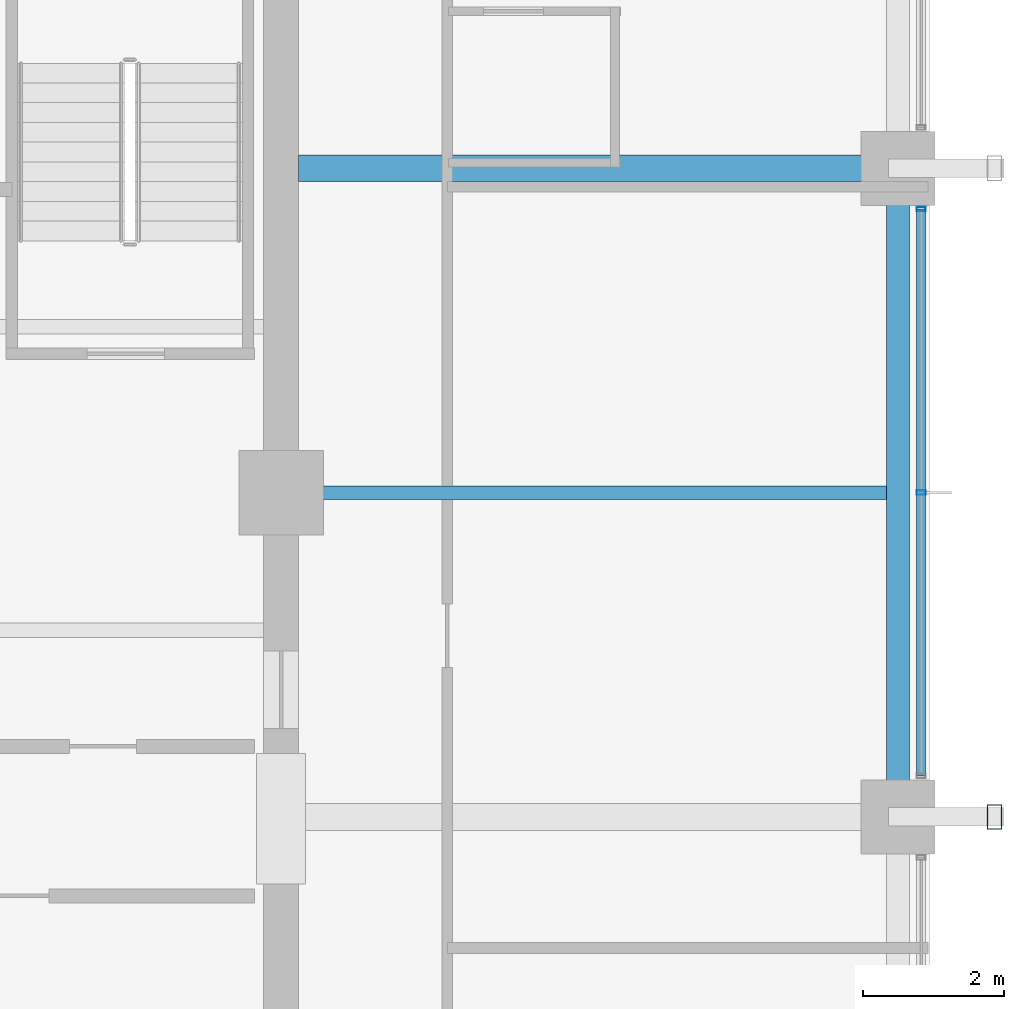
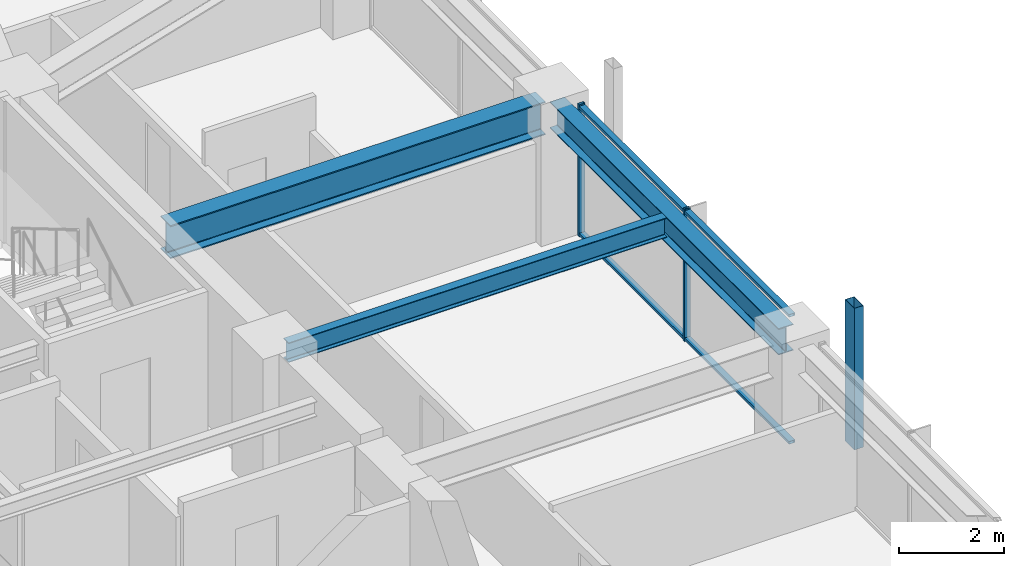
# One storey, part 12 of 31: 5 members, 3 beams, 1 element without a shape of its own.
"""IFC4 building model written with IfcOpenShell, lengths in metres."""

from ifc_helpers import new_model, si_unit, direction, frame, origin, origin_2d, place, context, subcontext, project, spatial, hollow_rectangle, i_section, extrude, material, material_profile, profile_set, type_object, element, aggregate, save


model = new_model("IFC4")

# Units and contexts
model_context = context("Model", 3, precision=1e-05, world=origin(), true_north=direction((0.0, 1.0)))
body_context = subcontext(model_context, "Body", "Model", "MODEL_VIEW")
ifc_project = project(units=[si_unit("LENGTHUNIT", "METRE"), si_unit("AREAUNIT", "SQUARE_METRE"), si_unit("VOLUMEUNIT", "CUBIC_METRE"), si_unit("PLANEANGLEUNIT", "RADIAN"), si_unit("MASSUNIT", "GRAM", prefix="KILO")], contexts=[model_context])

# Site, building, storey
site_placement = place(None, origin())
site = spatial("IfcSite", under=ifc_project, at=site_placement, CompositionType="ELEMENT")
building_placement = place(site_placement, origin())
building = spatial("IfcBuilding", under=site, at=building_placement, Name="Kolvaren Belvedere", CompositionType="ELEMENT")
storey_placement = place(building_placement, frame((0.0, 0.0, 118.39990234375)))
storey = spatial("IfcBuildingStorey", under=building, at=storey_placement, Name="L34", CompositionType="ELEMENT", Elevation=118.39990234375)

# Beams
ifc_material_1 = material(Name="Structural steel ASTM A992 Grade 50", Category="steel")
ifc_material_profile_1 = material_profile(ifc_material_1, i_section(OverallWidth=0.381103515625, OverallDepth=0.77294921875, WebThickness=0.0166015625, FlangeThickness=0.027099609375, FilletRadius=0.02392578125, at=origin_2d()), Name="W30X173")
ifc_profile_set_1 = profile_set([ifc_material_profile_1], Name="Structural steel ASTM A992 Grade 50")
beam_type_1 = type_object("IfcBeamType", Name="BM-GIRD-W30X173", PredefinedType="BEAM", material=ifc_profile_set_1)
beam_1_placement = place(storey_placement, frame((10.14990234375, 4.60009765625, 2.693603515625), z_axis=(1.0, 0.0, 0.0), x_axis=(0.0, 1.0, 0.0)))
element("IfcBeam", 1, at=beam_1_placement, inside=storey, type_object=beam_type_1, Name="L34 East Radial Girder P", PredefinedType="BEAM", context=body_context, shape_type="SweptSolid", body=[
    extrude(i_section(OverallWidth=0.381103515625, OverallDepth=0.77294921875, WebThickness=0.0166015625, FlangeThickness=0.027099609375, FilletRadius=0.02392578125, at=origin_2d()), origin(), (0.0, 0.0, 1.0), 8.263916015625),
])
ifc_material_2 = material(Name="Structural steel ASTM A992 Grade 50", Category="steel")
ifc_material_profile_2 = material_profile(ifc_material_2, i_section(OverallWidth=0.19091796875, OverallDepth=0.4599609375, WebThickness=0.010009765625, FlangeThickness=0.01611328125, FilletRadius=0.014892578125, at=origin_2d()), Name="W18X55")
ifc_profile_set_2 = profile_set([ifc_material_profile_2], Name="Structural steel ASTM A992 Grade 50")
beam_type_2 = type_object("IfcBeamType", Name="BM-JOIST-W18X55", PredefinedType="BEAM", material=ifc_profile_set_2)
beam_2_placement = place(storey_placement, frame((10.14990234375, 0.0, 2.85009765625), z_axis=(1.0, 0.0, 0.0), x_axis=(0.0, 1.0, 0.0)))
element("IfcBeam", 2, at=beam_2_placement, inside=storey, type_object=beam_type_2, Name="L34 East Centre Floor Beam", PredefinedType="BEAM", context=body_context, shape_type="SweptSolid", body=[
    extrude(i_section(OverallWidth=0.19091796875, OverallDepth=0.4599609375, WebThickness=0.010009765625, FlangeThickness=0.01611328125, FilletRadius=0.014892578125, at=origin_2d()), origin(), (0.0, 0.0, 1.0), 8.337646484375),
])
ifc_material_3 = material(Name="Structural steel ASTM A992 Grade 50", Category="steel")
ifc_material_profile_3 = material_profile(ifc_material_3, i_section(OverallWidth=0.324951171875, OverallDepth=0.615966796875, WebThickness=0.013916015625, FlangeThickness=0.021484375, FilletRadius=0.02001953125, at=origin_2d()), Name="W24X117")
ifc_profile_set_3 = profile_set([ifc_material_profile_3], Name="Structural steel ASTM A992 Grade 50")
beam_type_3 = type_object("IfcBeamType", Name="BM-SPAN-W24X117", PredefinedType="SPANDREL", material=ifc_profile_set_3)
beam_3_placement = place(storey_placement, frame((18.64990234375, -4.36376953125, 2.772216796875), z_axis=(0.0, 1.0, 0.0), x_axis=(-1.0, 0.0, 0.0)))
element("IfcBeam", 3, at=beam_3_placement, inside=storey, type_object=beam_type_3, Name="L34 Perimeter Spandrel E2-E3", PredefinedType="SPANDREL", context=body_context, shape_type="SweptSolid", body=[
    extrude(i_section(OverallWidth=0.324951171875, OverallDepth=0.615966796875, WebThickness=0.013916015625, FlangeThickness=0.021484375, FilletRadius=0.02001953125, at=origin_2d()), origin(), (0.0, 0.0, 1.0), 8.7275390625),
])

# Curtain wall, members
ifc_material_4 = material(Name="Anodised pale-metal aluminium AA 6063-T6", Category="aluminium")
curtain_wall_type = type_object("IfcCurtainWallType", Name="CW-Z3-WAIST", PredefinedType="NOTDEFINED", material=ifc_material_4)
curtain_wall_placement = place(storey_placement, origin())
curtain_wall = element("IfcCurtainWall", 4, at=curtain_wall_placement, inside=storey, type_object=curtain_wall_type, Name="L34 Unitised Curtain Wall FCW-L34-E-B2", PredefinedType="NOTDEFINED")
ifc_material_5 = material(Name="Anodised pale-metal aluminium AA 6063-T6", Category="aluminium")
ifc_material_profile_4 = material_profile(ifc_material_5, hollow_rectangle(XDim=0.06494140625, YDim=0.1298828125, WallThickness=0.00390625, at=origin_2d()), Name="ALU-MUL-130X65")
ifc_profile_set_4 = profile_set([ifc_material_profile_4], Name="Anodised pale-metal aluminium AA 6063-T6")
member_type_1 = type_object("IfcMemberType", Name="CW-MUL-130", PredefinedType="MULLION", material=ifc_profile_set_4)
member_1_placement = place(storey_placement, frame((18.97998046875, 4.0224609375, 0.0), z_axis=(0.0, 0.0, 1.0), x_axis=(0.0, 1.0, 0.0)))
member_1 = element("IfcMember", 5, at=member_1_placement, type_object=member_type_1, Name="FCW-L34-E-B2 Unitised Mullion 1", PredefinedType="MULLION", context=body_context, shape_type="SweptSolid", body=[
    extrude(hollow_rectangle(XDim=0.06494140625, YDim=0.1298828125, WallThickness=0.00390625, at=origin_2d()), origin(), (0.0, 0.0, 1.0), 3.080078125),
])
member_2_placement = place(storey_placement, frame((18.97998046875, 0.0, 0.0), z_axis=(0.0, 0.0, 1.0), x_axis=(0.0, 1.0, 0.0)))
member_2 = element("IfcMember", 6, at=member_2_placement, type_object=member_type_1, Name="FCW-L34-E-B2 Unitised Mullion 2", PredefinedType="MULLION", context=body_context, shape_type="SweptSolid", body=[
    extrude(hollow_rectangle(XDim=0.06494140625, YDim=0.1298828125, WallThickness=0.00390625, at=origin_2d()), origin(), (0.0, 0.0, 1.0), 3.080078125),
])
ifc_material_6 = material(Name="Anodised pale-metal aluminium AA 6063-T6", Category="aluminium")
ifc_material_profile_5 = material_profile(ifc_material_6, hollow_rectangle(XDim=0.06005859375, YDim=0.1298828125, WallThickness=0.00390625, at=origin_2d()), Name="ALU-TRN-130X60")
ifc_profile_set_5 = profile_set([ifc_material_profile_5], Name="Anodised pale-metal aluminium AA 6063-T6")
member_type_2 = type_object("IfcMemberType", Name="CW-TRN-130", PredefinedType="USERDEFINED", material=ifc_profile_set_5)
member_3_placement = place(storey_placement, frame((18.97998046875, 4.0224609375, 0.06005859375), z_axis=(0.0, -1.0, 0.0), x_axis=(0.0, 0.0, 1.0)))
member_3 = element("IfcMember", 7, at=member_3_placement, type_object=member_type_2, Name="FCW-L34-E-B2 Sill Transom", ObjectType="TRANSOM", PredefinedType="USERDEFINED", context=body_context, shape_type="SweptSolid", body=[
    extrude(hollow_rectangle(XDim=0.06005859375, YDim=0.1298828125, WallThickness=0.00390625, at=origin_2d()), origin(), (0.0, 0.0, 1.0), 8.044921875),
])
member_4_placement = place(storey_placement, frame((18.97998046875, 4.0224609375, 3.02001953125), z_axis=(0.0, -1.0, 0.0), x_axis=(0.0, 0.0, 1.0)))
member_4 = element("IfcMember", 8, at=member_4_placement, type_object=member_type_2, Name="FCW-L34-E-B2 Head Transom", ObjectType="TRANSOM", PredefinedType="USERDEFINED", context=body_context, shape_type="SweptSolid", body=[
    extrude(hollow_rectangle(XDim=0.06005859375, YDim=0.1298828125, WallThickness=0.00390625, at=origin_2d()), origin(), (0.0, 0.0, 1.0), 8.044921875),
])
aggregate(curtain_wall, [member_1, member_2, member_3, member_4])

# Member
ifc_material_7 = material(Name="Anodised pale-metal aluminium AA 6063-T6", Category="aluminium")
ifc_material_profile_6 = material_profile(ifc_material_7, hollow_rectangle(XDim=0.199951171875, YDim=0.35009765625, WallThickness=0.007568359375, at=origin_2d()), Name="ALU-PF-350X200")
ifc_profile_set_6 = profile_set([ifc_material_profile_6], Name="Anodised pale-metal aluminium AA 6063-T6")
member_type_3 = type_object("IfcMemberType", Name="PF-FRAME-350", PredefinedType="USERDEFINED", material=ifc_profile_set_6)
member_5_placement = place(storey_placement, frame((20.02001953125, -4.60009765625, 0.0), z_axis=(0.0, 0.0, 1.0), x_axis=(1.0, 0.0, 0.0)))
element("IfcMember", 9, at=member_5_placement, inside=storey, type_object=member_type_3, Name="L34 Outboard Picture-Frame Vertical E2", ObjectType="PICTURE FRAME FIN", PredefinedType="USERDEFINED", context=body_context, shape_type="SweptSolid", body=[
    extrude(hollow_rectangle(XDim=0.199951171875, YDim=0.35009765625, WallThickness=0.007568359375, at=origin_2d()), origin(), (0.0, 0.0, 1.0), 3.300048828125),
])

save(model, "model.ifc")
